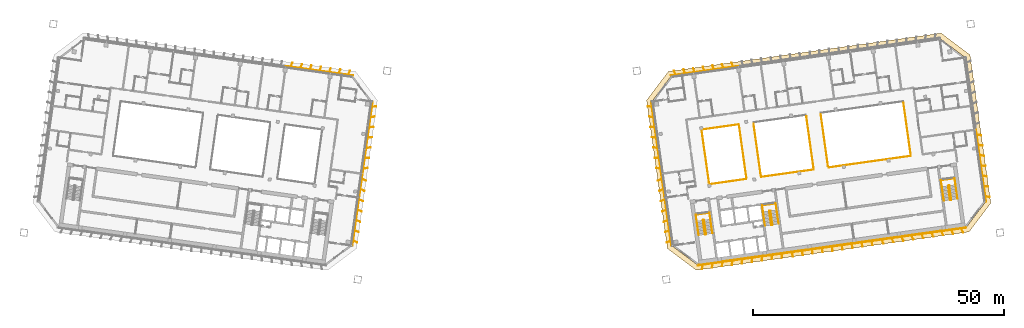
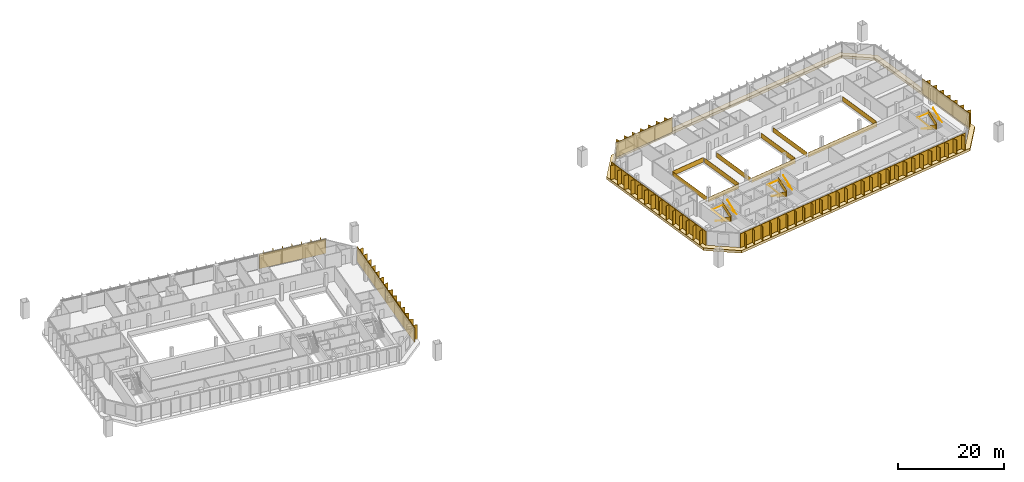
# One storey, part 25 of 26: 16 railings, 10 shading devices, 1 covering.
"""IFC4 building model written with IfcOpenShell, lengths in metres."""

import ifcopenshell
import ifcopenshell.guid

model = None  # the IFC model being written
_history = None  # IfcOwnerHistory: only IFC2X3 demands one
_inside = {}  # id of a spatial element -> (the spatial element, [elements in it])
_under = {}  # id of a project, library or spatial element -> (it, [spatial elements below it])
_declared = {}  # id of a project -> (the project, [libraries it declares])
_typed = {}  # id of a type object -> (the type object, [elements of that type])
_made_of = {}  # id of a material, layer set ... -> (it, [elements and type objects made of it])


def new_model(schema):
    """Start an empty IFC model of exactly this schema.

    Asked for "IFC4X3", IfcOpenShell would pick the latest addendum, in which some entities
    have other attributes; the version numbers below select the first issue.
    IFC2X3 requires an IfcOwnerHistory on every rooted entity: one is made here for all.
    """
    global model, _history
    if schema == "IFC4X3":
        model = ifcopenshell.file(schema_version=(4, 3, 0, 0))
    else:
        model = ifcopenshell.file(schema=schema)
    _inside.clear()
    _under.clear()
    _declared.clear()
    _typed.clear()
    _made_of.clear()
    _history = None
    if model.schema == "IFC2X3":
        org = make("IfcOrganization", Name="unknown")
        user = make(
            "IfcPersonAndOrganization",
            ThePerson=make("IfcPerson", FamilyName="unknown"),
            TheOrganization=org,
        )
        app = make(
            "IfcApplication",
            ApplicationDeveloper=org,
            Version="unknown",
            ApplicationFullName="unknown",
            ApplicationIdentifier="unknown",
        )
        _history = make(
            "IfcOwnerHistory",
            OwningUser=user,
            OwningApplication=app,
            ChangeAction="ADDED",
            CreationDate=0,
        )
    return model


def make(cls, **values):
    """One entity of the class cls with the attributes given. An attribute that is None is left unset."""
    return model.create_entity(
        cls, **{name: value for name, value in values.items() if value is not None}
    )


def rooted(cls, **values):
    """An entity with a GlobalId (a new one), such as an element, a storey or a relation."""
    return make(cls, GlobalId=ifcopenshell.guid.new(), OwnerHistory=_history, **values)


def si_unit(unit_type, name, prefix=None):
    """IfcSIUnit, for example si_unit("LENGTHUNIT", "METRE", prefix="MILLI")."""
    return make("IfcSIUnit", UnitType=unit_type, Prefix=prefix, Name=name)


def assignment(units):
    """IfcUnitAssignment: the units of a project."""
    return None if units is None else make("IfcUnitAssignment", Units=units)


def point(xyz):
    """IfcCartesianPoint."""
    return None if xyz is None else make("IfcCartesianPoint", Coordinates=xyz)


def direction(xyz):
    """IfcDirection."""
    return None if xyz is None else make("IfcDirection", DirectionRatios=xyz)


def frame(location, z_axis=None, x_axis=None):
    """IfcAxis2Placement3D, a coordinate frame: its origin and axes. An axis left out is left unset."""
    return make(
        "IfcAxis2Placement3D",
        Location=point(location),
        Axis=direction(z_axis),
        RefDirection=direction(x_axis),
    )


def frame_2d(location, x_axis=None):
    """IfcAxis2Placement2D, a coordinate frame in the plane: its origin and x axis."""
    return make(
        "IfcAxis2Placement2D", Location=point(location), RefDirection=direction(x_axis)
    )


def origin():
    """The frame at (0, 0, 0) with its axes left unset."""
    return frame((0.0, 0.0, 0.0))


def origin_2d():
    """The frame at (0, 0) in the plane with its x axis left unset."""
    return frame_2d((0.0, 0.0))


def place(relative_to, where):
    """IfcLocalPlacement: puts the frame where relative to a parent placement (None: the world)."""
    return make(
        "IfcLocalPlacement", PlacementRelTo=relative_to, RelativePlacement=where
    )


def context(
    kind, dimensions, precision=None, world=None, true_north=None, identifier=None
):
    """IfcGeometricRepresentationContext, for example the 3D "Model" context."""
    return make(
        "IfcGeometricRepresentationContext",
        ContextIdentifier=identifier,
        ContextType=kind,
        CoordinateSpaceDimension=dimensions,
        Precision=precision,
        WorldCoordinateSystem=world,
        TrueNorth=true_north,
    )


def subcontext(parent, identifier, kind, view, scale=None):
    """IfcGeometricRepresentationSubContext, for example "Body" below "Model"."""
    return make(
        "IfcGeometricRepresentationSubContext",
        ContextIdentifier=identifier,
        ContextType=kind,
        ParentContext=parent,
        TargetScale=scale,
        TargetView=view,
    )


def project(units=None, contexts=None):
    """IfcProject with its units and contexts."""
    return rooted(
        "IfcProject",
        Name="project",
        RepresentationContexts=contexts,
        UnitsInContext=assignment(units),
    )


def spatial(cls, under=None, at=None, **own):
    """A site, building, storey or space (cls), placed at a placement, below another one or the project."""
    s = rooted(cls, ObjectPlacement=at, **own)
    if under is not None:
        _under.setdefault(under.id(), (under, []))[1].append(s)
    return s


def polyline(points):
    """IfcPolyline through the points."""
    return make("IfcPolyline", Points=[point(p) for p in points])


def profile(cls, at=None, kind="AREA", **sizes):
    """A parametric profile (cls). Its sizes go by their IFC names, for example OverallWidth=200.0."""
    return make(cls, ProfileType=kind, Position=at, **sizes)


def rectangle(**sizes):
    """IfcRectangleProfileDef."""
    return profile("IfcRectangleProfileDef", **sizes)


def outline(outer, holes=None, kind="AREA"):
    """IfcArbitraryClosedProfileDef: a profile drawn as a closed curve; with holes, ...WithVoids."""
    if holes is None:
        return make("IfcArbitraryClosedProfileDef", ProfileType=kind, OuterCurve=outer)
    return make(
        "IfcArbitraryProfileDefWithVoids",
        ProfileType=kind,
        OuterCurve=outer,
        InnerCurves=holes,
    )


def extrude(swept, where, along, depth):
    """IfcExtrudedAreaSolid: the profile swept, set in the frame where, extruded along a direction by depth."""
    return make(
        "IfcExtrudedAreaSolid",
        SweptArea=swept,
        Position=where,
        ExtrudedDirection=direction(along),
        Depth=depth,
    )


def shape(context_of_items, identifier, shape_type, items):
    """IfcShapeRepresentation: the items that make up one representation, for example the "Body"."""
    return make(
        "IfcShapeRepresentation",
        ContextOfItems=context_of_items,
        RepresentationIdentifier=identifier,
        RepresentationType=shape_type,
        Items=items,
    )


def material(Name=None, Category=None):
    """IfcMaterial."""
    return make("IfcMaterial", Name=Name, Category=Category)


def layer(
    of_material, thickness, ventilated=None, Name=None, Category=None, Priority=None
):
    """IfcMaterialLayer: one layer of a wall or slab, of a material (None: an air gap)."""
    return make(
        "IfcMaterialLayer",
        Material=of_material,
        LayerThickness=thickness,
        IsVentilated=ventilated,
        Name=Name,
        Category=Category,
        Priority=Priority,
    )


def layer_set(layers, Name=None):
    """IfcMaterialLayerSet."""
    return make("IfcMaterialLayerSet", MaterialLayers=layers, LayerSetName=Name)


def made_of(thing, what):
    """Note that an element or type object is made of a material, layer set ...; save() writes the relation."""
    if what is not None:
        _made_of.setdefault(what.id(), (what, []))[1].append(thing)
    return thing


def type_object(cls, material=None, **own):
    """A type object (cls), such as IfcWallType, which elements share."""
    return made_of(rooted(cls, **own), material)


def element(
    cls,
    number,
    at=None,
    inside=None,
    cuts=None,
    type_object=None,
    material=None,
    context=None,
    identifier="Body",
    shape_type=None,
    held_by="IfcProductDefinitionShape",
    body=None,
    shapes=None,
    **own,
):
    """One element of the class cls, such as IfcWall. Its Tag is "e" and its number.

    at: its placement. inside: the storey or other place that contains it. cuts: it is an
    opening in that element (IfcRelVoidsElement). A single representation is given by context,
    identifier, shape_type and body (its items); several are given by shapes. held_by: the class
    of the entity that holds the representations. save() writes the other relations.
    """
    e = rooted(cls, Tag="e%d" % number, ObjectPlacement=at, **own)
    if body is not None:
        shapes = [shape(context, identifier, shape_type, body)]
    if shapes is not None:
        e.Representation = make(held_by, Representations=shapes)
    if inside is not None:
        _inside.setdefault(inside.id(), (inside, []))[1].append(e)
    if cuts is not None:
        rooted(
            "IfcRelVoidsElement", RelatingBuildingElement=cuts, RelatedOpeningElement=e
        )
    if type_object is not None:
        _typed.setdefault(type_object.id(), (type_object, []))[1].append(e)
    return made_of(e, material)


def aggregate(whole, parts):
    """IfcRelAggregates: a whole, such as a stair, and the parts it consists of."""
    return rooted("IfcRelAggregates", RelatingObject=whole, RelatedObjects=parts)


def save(model, path):
    """Write the relations noted so far, then the file.

    IfcRelAggregates (storeys below a building ...), IfcRelContainedInSpatialStructure (elements
    in a storey), IfcRelDefinesByType, IfcRelAssociatesMaterial and IfcRelDeclares: one each for
    every whole, place, type object, material and project.
    """
    for whole, parts in _under.values():
        aggregate(whole, parts)
    for where, things in _inside.values():
        rooted(
            "IfcRelContainedInSpatialStructure",
            RelatedElements=things,
            RelatingStructure=where,
        )
    for kind, things in _typed.values():
        rooted("IfcRelDefinesByType", RelatedObjects=things, RelatingType=kind)
    for what, things in _made_of.values():
        rooted("IfcRelAssociatesMaterial", RelatedObjects=things, RelatingMaterial=what)
    for by, libraries in _declared.values():
        rooted("IfcRelDeclares", RelatingContext=by, RelatedDefinitions=libraries)
    model.write(path)


model = new_model("IFC4")

# Units and contexts
model_context = context("Model", 3, precision=1e-05, world=origin(), true_north=direction((0.0, 1.0)))
body_context = subcontext(model_context, "Body", "Model", "MODEL_VIEW")
ifc_project = project(units=[si_unit("LENGTHUNIT", "METRE"), si_unit("AREAUNIT", "SQUARE_METRE"), si_unit("VOLUMEUNIT", "CUBIC_METRE"), si_unit("PLANEANGLEUNIT", "RADIAN"), si_unit("MASSUNIT", "GRAM", prefix="KILO")], contexts=[model_context])

# Site, building, storey
site_placement = place(None, origin())
site = spatial("IfcSite", under=ifc_project, at=site_placement, CompositionType="ELEMENT")
building_placement = place(site_placement, origin())
building = spatial("IfcBuilding", under=site, at=building_placement, Name="Mirante Cascada Hotel Towers", CompositionType="ELEMENT")
storey_placement = place(building_placement, frame((0.0, 0.0, 161.2)))
storey = spatial("IfcBuildingStorey", under=building, at=storey_placement, Name="L37", CompositionType="ELEMENT", Elevation=161.2)

# Railings
ifc_material_1 = material(Name="Toughened glass with stainless steel handrail", Category="steel")
railing_type_1 = type_object("IfcRailingType", Name="Atrium guard 1100 glass balustrade", PredefinedType="GUARDRAIL", material=ifc_material_1)
railing_1_placement = place(storey_placement, frame((39.3856, -4.1144, 0.0)))
element("IfcRailing", 1, at=railing_1_placement, inside=storey, type_object=railing_type_1, Name="GUARD 2-L37-1", PredefinedType="GUARDRAIL", context=body_context, shape_type="SweptSolid", body=[
    extrude(rectangle(XDim=0.048, YDim=0.048, at=origin_2d()), frame((0.0, 0.0, 1.076), z_axis=(0.9902668, 0.1391824, 0.0), x_axis=(-0.1391824, 0.9902668, 0.0)), (0.0, 0.0, 1.0), 7.4234),
    extrude(rectangle(XDim=0.02, YDim=1.052, at=origin_2d()), frame((0.0, 0.0, 0.526), z_axis=(0.9902668, 0.1391824, 0.0), x_axis=(-0.1391824, 0.9902668, 0.0)), (0.0, 0.0, 1.0), 7.4234),
])
railing_2_placement = place(storey_placement, frame((45.2058, 7.8117, 0.0)))
element("IfcRailing", 2, at=railing_2_placement, inside=storey, type_object=railing_type_1, Name="GUARD 2-L37-2", PredefinedType="GUARDRAIL", context=body_context, shape_type="SweptSolid", body=[
    extrude(rectangle(XDim=0.048, YDim=0.048, at=origin_2d()), frame((0.0, 0.0, 1.076), z_axis=(-0.9902686, -0.1391692, 0.0), x_axis=(0.1391692, -0.9902686, 0.0)), (0.0, 0.0, 1.0), 7.4233),
    extrude(rectangle(XDim=0.02, YDim=1.052, at=origin_2d()), frame((0.0, 0.0, 0.526), z_axis=(-0.9902686, -0.1391692, 0.0), x_axis=(0.1391692, -0.9902686, 0.0)), (0.0, 0.0, 1.0), 7.4233),
])
railing_3_placement = place(storey_placement, frame((49.7075, -2.6637, 0.0)))
element("IfcRailing", 3, at=railing_3_placement, inside=storey, type_object=railing_type_1, Name="GUARD 2-L37-3", PredefinedType="GUARDRAIL", context=body_context, shape_type="SweptSolid", body=[
    extrude(rectangle(XDim=0.048, YDim=0.048, at=origin_2d()), frame((0.0, 0.0, 1.076), z_axis=(0.9902677, 0.1391758, 0.0), x_axis=(-0.1391758, 0.9902677, 0.0)), (0.0, 0.0, 1.0), 10.5255),
    extrude(rectangle(XDim=0.02, YDim=1.052, at=origin_2d()), frame((0.0, 0.0, 0.526), z_axis=(0.9902677, 0.1391758, 0.0), x_axis=(-0.1391758, 0.9902677, 0.0)), (0.0, 0.0, 1.0), 10.5255),
])
railing_4_placement = place(storey_placement, frame((63.1014, -0.7813, 0.0)))
element("IfcRailing", 4, at=railing_4_placement, inside=storey, type_object=railing_type_1, Name="GUARD 2-L37-5", PredefinedType="GUARDRAIL", context=body_context, shape_type="SweptSolid", body=[
    extrude(rectangle(XDim=0.048, YDim=0.048, at=origin_2d()), frame((0.0, 0.0, 1.076), z_axis=(0.9902679, 0.1391744, 0.0), x_axis=(-0.1391744, 0.9902679, 0.0)), (0.0, 0.0, 1.0), 16.5512),
    extrude(rectangle(XDim=0.02, YDim=1.052, at=origin_2d()), frame((0.0, 0.0, 0.526), z_axis=(0.9902679, 0.1391744, 0.0), x_axis=(-0.1391744, 0.9902679, 0.0)), (0.0, 0.0, 1.0), 16.5512),
    extrude(rectangle(XDim=0.048, YDim=0.048, at=origin_2d()), frame((16.3901, 2.3035, 1.076), z_axis=(-0.9900663, -0.1406011, 0.0), x_axis=(0.1406011, -0.9900663, 0.0)), (0.0, 0.0, 1.0), 0.0171),
    extrude(rectangle(XDim=0.02, YDim=1.052, at=origin_2d()), frame((16.3901, 2.3035, 0.526), z_axis=(-0.9900663, -0.1406011, 0.0), x_axis=(0.1406011, -0.9900663, 0.0)), (0.0, 0.0, 1.0), 0.0171),
])
railing_5_placement = place(storey_placement, frame((37.8463, 6.479, 0.0)))
element("IfcRailing", 5, at=railing_5_placement, inside=storey, type_object=railing_type_1, Name="GUARD 2-L37-7", PredefinedType="GUARDRAIL", context=body_context, shape_type="SweptSolid", body=[
    extrude(rectangle(XDim=0.048, YDim=0.048, at=origin_2d()), frame((0.0, 0.0, 1.076), z_axis=(0.1391776, -0.9902674, 0.0), x_axis=(0.9902674, 0.1391776, 0.0)), (0.0, 0.0, 1.0), 10.409),
    extrude(rectangle(XDim=0.02, YDim=1.052, at=origin_2d()), frame((0.0, 0.0, 0.526), z_axis=(0.1391776, -0.9902674, 0.0), x_axis=(0.9902674, 0.1391776, 0.0)), (0.0, 0.0, 1.0), 10.409),
])
railing_6_placement = place(storey_placement, frame((46.7441, -2.7816, 0.0)))
element("IfcRailing", 6, at=railing_6_placement, inside=storey, type_object=railing_type_1, Name="GUARD 2-L37-8", PredefinedType="GUARDRAIL", context=body_context, shape_type="SweptSolid", body=[
    extrude(rectangle(XDim=0.048, YDim=0.048, at=origin_2d()), frame((0.0, 0.0, 1.076), z_axis=(-0.1391721, 0.9902682, 0.0), x_axis=(-0.9902682, -0.1391721, 0.0)), (0.0, 0.0, 1.0), 10.4087),
    extrude(rectangle(XDim=0.02, YDim=1.052, at=origin_2d()), frame((0.0, 0.0, 0.526), z_axis=(-0.1391721, 0.9902682, 0.0), x_axis=(-0.9902682, -0.1391721, 0.0)), (0.0, 0.0, 1.0), 10.4087),
])
railing_7_placement = place(storey_placement, frame((48.1692, 7.9297, 0.0)))
element("IfcRailing", 7, at=railing_7_placement, inside=storey, type_object=railing_type_1, Name="GUARD 2-L37-9", PredefinedType="GUARDRAIL", context=body_context, shape_type="SweptSolid", body=[
    extrude(rectangle(XDim=0.048, YDim=0.048, at=origin_2d()), frame((0.0, 0.0, 1.076), z_axis=(0.1391708, -0.9902684, 0.0), x_axis=(0.9902684, 0.1391708, 0.0)), (0.0, 0.0, 1.0), 10.4088),
    extrude(rectangle(XDim=0.02, YDim=1.052, at=origin_2d()), frame((0.0, 0.0, 0.526), z_axis=(0.1391708, -0.9902684, 0.0), x_axis=(0.9902684, 0.1391708, 0.0)), (0.0, 0.0, 1.0), 10.4088),
])
railing_8_placement = place(storey_placement, frame((60.138, -0.8992, 0.0)))
element("IfcRailing", 8, at=railing_8_placement, inside=storey, type_object=railing_type_1, Name="GUARD 2-L37-10", PredefinedType="GUARDRAIL", context=body_context, shape_type="SweptSolid", body=[
    extrude(rectangle(XDim=0.048, YDim=0.048, at=origin_2d()), frame((0.0, 0.0, 1.076), z_axis=(-0.1391721, 0.9902682, 0.0), x_axis=(-0.9902682, -0.1391721, 0.0)), (0.0, 0.0, 1.0), 10.4087),
    extrude(rectangle(XDim=0.02, YDim=1.052, at=origin_2d()), frame((0.0, 0.0, 0.526), z_axis=(-0.1391721, 0.9902682, 0.0), x_axis=(-0.9902682, -0.1391721, 0.0)), (0.0, 0.0, 1.0), 10.4087),
])
railing_9_placement = place(storey_placement, frame((61.5631, 9.812, 0.0)))
element("IfcRailing", 9, at=railing_9_placement, inside=storey, type_object=railing_type_1, Name="GUARD 2-L37-11", PredefinedType="GUARDRAIL", context=body_context, shape_type="SweptSolid", body=[
    extrude(rectangle(XDim=0.048, YDim=0.048, at=origin_2d()), frame((0.0, 0.0, 1.076), z_axis=(0.1391721, -0.9902682, 0.0), x_axis=(0.9902682, 0.1391721, 0.0)), (0.0, 0.0, 1.0), 10.4087),
    extrude(rectangle(XDim=0.02, YDim=1.052, at=origin_2d()), frame((0.0, 0.0, 0.526), z_axis=(0.1391721, -0.9902682, 0.0), x_axis=(0.9902682, 0.1391721, 0.0)), (0.0, 0.0, 1.0), 10.4087),
])
railing_10_placement = place(storey_placement, frame((79.4999, 1.8217, 0.0)))
element("IfcRailing", 10, at=railing_10_placement, inside=storey, type_object=railing_type_1, Name="GUARD 2-L37-12", PredefinedType="GUARDRAIL", context=body_context, shape_type="SweptSolid", body=[
    extrude(rectangle(XDim=0.048, YDim=0.048, at=origin_2d()), frame((0.0, 0.0, 1.076), z_axis=(-0.1391762, 0.9902676, 0.0), x_axis=(-0.9902676, -0.1391762, 0.0)), (0.0, 0.0, 1.0), 10.4091),
    extrude(rectangle(XDim=0.02, YDim=1.052, at=origin_2d()), frame((0.0, 0.0, 0.526), z_axis=(-0.1391762, 0.9902676, 0.0), x_axis=(-0.9902676, -0.1391762, 0.0)), (0.0, 0.0, 1.0), 10.4091),
])

# Covering
ifc_material_2 = material(Name="Precast concrete C40/50 white", Category="concrete")
ifc_layer = layer(ifc_material_2, 0.6)
ifc_layer_set = layer_set([ifc_layer], Name="Precast concrete SUNSHADE band 1000x600")
covering_type = type_object("IfcCoveringType", Name="Precast concrete SUNSHADE band 1000x600", PredefinedType="CLADDING", material=ifc_layer_set)
covering_placement = place(storey_placement, frame((0.0, 0.0, -0.45)))
element("IfcCovering", 11, at=covering_placement, inside=storey, type_object=covering_type, Name="Precast concrete SUNSHADE band T2 L37", PredefinedType="CLADDING", context=body_context, shape_type="SweptSolid", body=[
    extrude(outline(polyline([(26.8329, 12.6157), (31.1614, 18.3598), (85.5574, 26.0046), (91.3015, 21.6761), (95.4528, -7.862), (91.1243, -13.6061), (36.7283, -21.251), (30.9842, -16.9225), (26.8329, 12.6157)]), holes=[polyline([(94.4049, -7.591), (90.3689, 21.1268), (85.2864, 24.9567), (31.7107, 17.4271), (27.8808, 12.3447), (31.9168, -16.3731), (36.9993, -20.203), (90.575, -12.6735), (94.4049, -7.591)])]), origin(), (0.0, 0.0, 1.0), 0.6),
])

# Railings
ifc_material_3 = material(Name="Painted steel", Category="steel")
railing_type_2 = type_object("IfcRailingType", Name="Stair guard 1100 steel balustrade", PredefinedType="GUARDRAIL", material=ifc_material_3)
railing_11_placement = place(storey_placement, frame((38.2663, -11.2395, 0.0)))
element("IfcRailing", 12, at=railing_11_placement, inside=storey, type_object=railing_type_2, Name="L37 ST2-A stair guard 1", PredefinedType="GUARDRAIL", context=body_context, shape_type="SweptSolid", body=[
    extrude(rectangle(XDim=0.048, YDim=0.048, at=origin_2d()), frame((0.0, 0.0, 1.076), z_axis=(-0.9903326, -0.1387133, 0.0), x_axis=(0.1387133, -0.9903326, 0.0)), (0.0, 0.0, 1.0), 0.1499),
    extrude(rectangle(XDim=0.02, YDim=1.052, at=origin_2d()), frame((0.0, 0.0, 0.526), z_axis=(-0.9903326, -0.1387133, 0.0), x_axis=(0.1387133, -0.9903326, 0.0)), (0.0, 0.0, 1.0), 0.1499),
    extrude(rectangle(XDim=0.048, YDim=0.048, at=origin_2d()), frame((-0.1485, -0.0208, 1.076), z_axis=(-0.6020331, -0.7984711, 0.0), x_axis=(0.7984711, -0.6020331, 0.0)), (0.0, 0.9253398, 0.3791387), 0.1866),
    extrude(rectangle(XDim=0.02, YDim=1.052, at=origin_2d()), frame((-0.1485, -0.0208, 0.526), z_axis=(-0.6020331, -0.7984711, 0.0), x_axis=(0.7984711, -0.6020331, 0.0)), (0.0, 0.9253398, 0.3791387), 0.1866),
    extrude(rectangle(XDim=0.048, YDim=0.048, at=origin_2d()), frame((-0.1911, -0.0773, 1.2487), z_axis=(0.139176, -0.9902677, 0.0), x_axis=(0.9902677, 0.139176, 0.0)), (0.0, 0.5250212, 0.8510891), 3.29),
    extrude(rectangle(XDim=0.02, YDim=1.052, at=origin_2d()), frame((-0.1911, -0.0773, 0.6987), z_axis=(0.139176, -0.9902677, 0.0), x_axis=(0.9902677, 0.139176, 0.0)), (0.0, 0.5250212, 0.8510891), 3.29),
    extrude(rectangle(XDim=0.048, YDim=0.048, at=origin_2d()), frame((0.1986, -2.8501, 2.976), z_axis=(0.9944948, -0.1047858, 0.0), x_axis=(0.1047858, 0.9944948, 0.0)), (0.0, 0.0, 1.0), 0.2061),
    extrude(rectangle(XDim=0.02, YDim=1.052, at=origin_2d()), frame((0.1986, -2.8501, 2.426), z_axis=(0.9944948, -0.1047858, 0.0), x_axis=(0.1047858, 0.9944948, 0.0)), (0.0, 0.0, 1.0), 0.2061),
    extrude(rectangle(XDim=0.048, YDim=0.048, at=origin_2d()), frame((0.4036, -2.8717, 2.976), z_axis=(-0.9902408, -0.1393672, 0.0), x_axis=(0.1393672, -0.9902408, 0.0)), (0.0, 0.0, 1.0), 0.15),
    extrude(rectangle(XDim=0.02, YDim=1.052, at=origin_2d()), frame((0.4036, -2.8717, 2.426), z_axis=(-0.9902408, -0.1393672, 0.0), x_axis=(0.1393672, -0.9902408, 0.0)), (0.0, 0.0, 1.0), 0.15),
    extrude(rectangle(XDim=0.048, YDim=0.048, at=origin_2d()), frame((0.2551, -2.8926, 2.976), z_axis=(0.9270311, 0.3749843, 0.0), x_axis=(-0.3749843, 0.9270311, 0.0)), (0.0, 0.6421903, 0.7665452), 0.2689),
    extrude(rectangle(XDim=0.02, YDim=1.052, at=origin_2d()), frame((0.2551, -2.8926, 2.426), z_axis=(0.9270311, 0.3749843, 0.0), x_axis=(-0.3749843, 0.9270311, 0.0)), (0.0, 0.6421903, 0.7665452), 0.2689),
    extrude(rectangle(XDim=0.048, YDim=0.048, at=origin_2d()), frame((0.4462, -2.8153, 3.1487), z_axis=(-0.139176, 0.9902677, 0.0), x_axis=(-0.9902677, -0.139176, 0.0)), (0.0, 0.5250212, 0.8510891), 3.29),
    extrude(rectangle(XDim=0.02, YDim=1.052, at=origin_2d()), frame((0.4462, -2.8153, 2.5987), z_axis=(-0.139176, 0.9902677, 0.0), x_axis=(-0.9902677, -0.139176, 0.0)), (0.0, 0.5250212, 0.8510891), 3.29),
])
railing_12_placement = place(storey_placement, frame((51.4864, -9.3815, 0.0)))
element("IfcRailing", 13, at=railing_12_placement, inside=storey, type_object=railing_type_2, Name="L37 ST2-B stair guard 1", PredefinedType="GUARDRAIL", context=body_context, shape_type="SweptSolid", body=[
    extrude(rectangle(XDim=0.048, YDim=0.048, at=origin_2d()), frame((0.0, 0.0, 1.076), z_axis=(-0.9902408, -0.1393672, 0.0), x_axis=(0.1393672, -0.9902408, 0.0)), (0.0, 0.0, 1.0), 0.15),
    extrude(rectangle(XDim=0.02, YDim=1.052, at=origin_2d()), frame((0.0, 0.0, 0.526), z_axis=(-0.9902408, -0.1393672, 0.0), x_axis=(0.1393672, -0.9902408, 0.0)), (0.0, 0.0, 1.0), 0.15),
    extrude(rectangle(XDim=0.048, YDim=0.048, at=origin_2d()), frame((-0.1485, -0.0209, 1.076), z_axis=(-0.6020331, -0.7984711, 0.0), x_axis=(0.7984711, -0.6020331, 0.0)), (0.0, 0.9253398, 0.3791387), 0.1866),
    extrude(rectangle(XDim=0.02, YDim=1.052, at=origin_2d()), frame((-0.1485, -0.0209, 0.526), z_axis=(-0.6020331, -0.7984711, 0.0), x_axis=(0.7984711, -0.6020331, 0.0)), (0.0, 0.9253398, 0.3791387), 0.1866),
    extrude(rectangle(XDim=0.048, YDim=0.048, at=origin_2d()), frame((-0.1911, -0.0774, 1.2487), z_axis=(0.139181, -0.990267, 0.0), x_axis=(0.990267, 0.139181, 0.0)), (0.0, 0.5250347, 0.8510808), 3.2899),
    extrude(rectangle(XDim=0.02, YDim=1.052, at=origin_2d()), frame((-0.1911, -0.0774, 0.6987), z_axis=(0.139181, -0.990267, 0.0), x_axis=(0.990267, 0.139181, 0.0)), (0.0, 0.5250347, 0.8510808), 3.2899),
    extrude(rectangle(XDim=0.048, YDim=0.048, at=origin_2d()), frame((0.1986, -2.8501, 2.976), z_axis=(0.9944441, -0.1052656, 0.0), x_axis=(0.1052656, 0.9944441, 0.0)), (0.0, 0.0, 1.0), 0.2061),
    extrude(rectangle(XDim=0.02, YDim=1.052, at=origin_2d()), frame((0.1986, -2.8501, 2.426), z_axis=(0.9944441, -0.1052656, 0.0), x_axis=(0.1052656, 0.9944441, 0.0)), (0.0, 0.0, 1.0), 0.2061),
    extrude(rectangle(XDim=0.048, YDim=0.048, at=origin_2d()), frame((0.4036, -2.8718, 2.976), z_axis=(-0.9902408, -0.1393672, 0.0), x_axis=(0.1393672, -0.9902408, 0.0)), (0.0, 0.0, 1.0), 0.15),
    extrude(rectangle(XDim=0.02, YDim=1.052, at=origin_2d()), frame((0.4036, -2.8718, 2.426), z_axis=(-0.9902408, -0.1393672, 0.0), x_axis=(0.1393672, -0.9902408, 0.0)), (0.0, 0.0, 1.0), 0.15),
    extrude(rectangle(XDim=0.048, YDim=0.048, at=origin_2d()), frame((0.2551, -2.8927, 2.976), z_axis=(0.9268624, 0.3754011, 0.0), x_axis=(-0.3754011, 0.9268624, 0.0)), (0.0, 0.6421217, 0.7666028), 0.269),
    extrude(rectangle(XDim=0.02, YDim=1.052, at=origin_2d()), frame((0.2551, -2.8927, 2.426), z_axis=(0.9268624, 0.3754011, 0.0), x_axis=(-0.3754011, 0.9268624, 0.0)), (0.0, 0.6421217, 0.7666028), 0.269),
    extrude(rectangle(XDim=0.048, YDim=0.048, at=origin_2d()), frame((0.4462, -2.8153, 3.1487), z_axis=(-0.139181, 0.990267, 0.0), x_axis=(-0.990267, -0.139181, 0.0)), (0.0, 0.5250347, 0.8510808), 3.2899),
    extrude(rectangle(XDim=0.02, YDim=1.052, at=origin_2d()), frame((0.4462, -2.8153, 2.5987), z_axis=(-0.139181, 0.990267, 0.0), x_axis=(-0.990267, -0.139181, 0.0)), (0.0, 0.5250347, 0.8510808), 3.2899),
])
railing_13_placement = place(storey_placement, frame((87.1361, -4.3713, 0.0)))
element("IfcRailing", 14, at=railing_13_placement, inside=storey, type_object=railing_type_2, Name="L37 ST2-C stair guard 1", PredefinedType="GUARDRAIL", context=body_context, shape_type="SweptSolid", body=[
    extrude(rectangle(XDim=0.048, YDim=0.048, at=origin_2d()), frame((0.0, 0.0, 1.076), z_axis=(-0.9902537, -0.1392753, 0.0), x_axis=(0.1392753, -0.9902537, 0.0)), (0.0, 0.0, 1.0), 0.1501),
    extrude(rectangle(XDim=0.02, YDim=1.052, at=origin_2d()), frame((0.0, 0.0, 0.526), z_axis=(-0.9902537, -0.1392753, 0.0), x_axis=(0.1392753, -0.9902537, 0.0)), (0.0, 0.0, 1.0), 0.1501),
    extrude(rectangle(XDim=0.048, YDim=0.048, at=origin_2d()), frame((-0.1486, -0.0209, 1.076), z_axis=(-0.601811, -0.7986386, 0.0), x_axis=(0.7986386, -0.601811, 0.0)), (0.0, 0.925603, 0.3784959), 0.1866),
    extrude(rectangle(XDim=0.02, YDim=1.052, at=origin_2d()), frame((-0.1486, -0.0209, 0.526), z_axis=(-0.601811, -0.7986386, 0.0), x_axis=(0.7986386, -0.601811, 0.0)), (0.0, 0.925603, 0.3784959), 0.1866),
    extrude(rectangle(XDim=0.048, YDim=0.048, at=origin_2d()), frame((-0.1911, -0.0773, 1.2487), z_axis=(0.139176, -0.9902677, 0.0), x_axis=(0.9902677, 0.139176, 0.0)), (0.0, 0.5250212, 0.8510891), 3.29),
    extrude(rectangle(XDim=0.02, YDim=1.052, at=origin_2d()), frame((-0.1911, -0.0773, 0.6987), z_axis=(0.139176, -0.9902677, 0.0), x_axis=(0.9902677, 0.139176, 0.0)), (0.0, 0.5250212, 0.8510891), 3.29),
    extrude(rectangle(XDim=0.048, YDim=0.048, at=origin_2d()), frame((0.1986, -2.8501, 2.976), z_axis=(0.9944441, -0.1052656, 0.0), x_axis=(0.1052656, 0.9944441, 0.0)), (0.0, 0.0, 1.0), 0.2061),
    extrude(rectangle(XDim=0.02, YDim=1.052, at=origin_2d()), frame((0.1986, -2.8501, 2.426), z_axis=(0.9944441, -0.1052656, 0.0), x_axis=(0.1052656, 0.9944441, 0.0)), (0.0, 0.0, 1.0), 0.2061),
    extrude(rectangle(XDim=0.048, YDim=0.048, at=origin_2d()), frame((0.4036, -2.8718, 2.976), z_axis=(-0.9903454, -0.1386217, 0.0), x_axis=(0.1386217, -0.9903454, 0.0)), (0.0, 0.0, 1.0), 0.15),
    extrude(rectangle(XDim=0.02, YDim=1.052, at=origin_2d()), frame((0.4036, -2.8718, 2.426), z_axis=(-0.9903454, -0.1386217, 0.0), x_axis=(0.1386217, -0.9903454, 0.0)), (0.0, 0.0, 1.0), 0.15),
    extrude(rectangle(XDim=0.048, YDim=0.048, at=origin_2d()), frame((0.255, -2.8926, 2.976), z_axis=(0.9270311, 0.3749843, 0.0), x_axis=(-0.3749843, 0.9270311, 0.0)), (0.0, 0.6421903, 0.7665452), 0.2689),
    extrude(rectangle(XDim=0.02, YDim=1.052, at=origin_2d()), frame((0.255, -2.8926, 2.426), z_axis=(0.9270311, 0.3749843, 0.0), x_axis=(-0.3749843, 0.9270311, 0.0)), (0.0, 0.6421903, 0.7665452), 0.2689),
    extrude(rectangle(XDim=0.048, YDim=0.048, at=origin_2d()), frame((0.4461, -2.8153, 3.1487), z_axis=(-0.139176, 0.9902677, 0.0), x_axis=(-0.9902677, -0.139176, 0.0)), (0.0, 0.5250212, 0.8510891), 3.29),
    extrude(rectangle(XDim=0.02, YDim=1.052, at=origin_2d()), frame((0.4461, -2.8153, 2.5987), z_axis=(-0.139176, 0.9902677, 0.0), x_axis=(-0.9902677, -0.139176, 0.0)), (0.0, 0.5250212, 0.8510891), 3.29),
])
ifc_material_4 = material(Name="Painted steel", Category="steel")
railing_type_3 = type_object("IfcRailingType", Name="Stair handrail 900 steel tube", PredefinedType="HANDRAIL", material=ifc_material_4)
railing_14_placement = place(storey_placement, frame((36.8374, -11.4908, 0.1727)))
element("IfcRailing", 15, at=railing_14_placement, inside=storey, type_object=railing_type_3, Name="L37 ST2-A stair handrail 1", PredefinedType="HANDRAIL", context=body_context, shape_type="SweptSolid", body=[
    extrude(rectangle(XDim=0.048, YDim=0.048, at=origin_2d()), frame((0.0, 0.0, 0.876), z_axis=(0.139181, -0.990267, 0.0), x_axis=(0.990267, 0.139181, 0.0)), (0.0, 0.5250347, 0.8510808), 3.2899),
    extrude(rectangle(XDim=0.048, YDim=0.048, at=origin_2d()), frame((0.3897, -2.7727, 2.6033), z_axis=(-0.1391707, 0.9902684, 0.0), x_axis=(-0.9902684, -0.1391707, 0.0)), (0.0, 0.0420846, 0.999114), 4.1036),
    extrude(rectangle(XDim=0.048, YDim=0.048, at=origin_2d()), frame((-0.1809, 1.2874, 2.776), z_axis=(0.9902691, 0.1391657, 0.0), x_axis=(-0.1391657, 0.9902691, 0.0)), (0.0, 0.0, 1.0), 2.75),
    extrude(rectangle(XDim=0.048, YDim=0.048, at=origin_2d()), frame((2.5423, 1.6701, 2.776), z_axis=(0.1391707, -0.9902684, 0.0), x_axis=(0.9902684, 0.1391707, 0.0)), (0.0, 0.0, 1.0), 4.1),
    extrude(rectangle(XDim=0.048, YDim=0.048, at=origin_2d()), frame((3.1129, -2.39, 2.776), z_axis=(-0.139181, 0.990267, 0.0), x_axis=(-0.990267, -0.139181, 0.0)), (0.0, 0.5250347, 0.8510808), 3.2899),
])
railing_15_placement = place(storey_placement, frame((50.0575, -9.6328, 0.1727)))
element("IfcRailing", 16, at=railing_15_placement, inside=storey, type_object=railing_type_3, Name="L37 ST2-B stair handrail 1", PredefinedType="HANDRAIL", context=body_context, shape_type="SweptSolid", body=[
    extrude(rectangle(XDim=0.048, YDim=0.048, at=origin_2d()), frame((0.0, 0.0, 0.876), z_axis=(0.139176, -0.9902677, 0.0), x_axis=(0.9902677, 0.139176, 0.0)), (0.0, 0.5250212, 0.8510891), 3.29),
    extrude(rectangle(XDim=0.048, YDim=0.048, at=origin_2d()), frame((0.3897, -2.7728, 2.6033), z_axis=(-0.1391707, 0.9902684, 0.0), x_axis=(-0.9902684, -0.1391707, 0.0)), (0.0, 0.0420846, 0.999114), 4.1036),
    extrude(rectangle(XDim=0.048, YDim=0.048, at=origin_2d()), frame((-0.1809, 1.2873, 2.776), z_axis=(0.9902641, 0.1392013, 0.0), x_axis=(-0.1392013, 0.9902641, 0.0)), (0.0, 0.0, 1.0), 2.75),
    extrude(rectangle(XDim=0.048, YDim=0.048, at=origin_2d()), frame((2.5423, 1.6701, 2.776), z_axis=(0.1391707, -0.9902684, 0.0), x_axis=(0.9902684, 0.1391707, 0.0)), (0.0, 0.0, 1.0), 4.1),
    extrude(rectangle(XDim=0.048, YDim=0.048, at=origin_2d()), frame((3.1129, -2.39, 2.776), z_axis=(-0.139181, 0.990267, 0.0), x_axis=(-0.990267, -0.139181, 0.0)), (0.0, 0.5250347, 0.8510808), 3.2899),
])
railing_16_placement = place(storey_placement, frame((85.7071, -4.6226, 0.1727)))
element("IfcRailing", 17, at=railing_16_placement, inside=storey, type_object=railing_type_3, Name="L37 ST2-C stair handrail 1", PredefinedType="HANDRAIL", context=body_context, shape_type="SweptSolid", body=[
    extrude(rectangle(XDim=0.048, YDim=0.048, at=origin_2d()), frame((0.0, 0.0, 0.876), z_axis=(0.139181, -0.990267, 0.0), x_axis=(0.990267, 0.139181, 0.0)), (0.0, 0.5250347, 0.8510808), 3.2899),
    extrude(rectangle(XDim=0.048, YDim=0.048, at=origin_2d()), frame((0.3897, -2.7727, 2.6033), z_axis=(-0.1391707, 0.9902684, 0.0), x_axis=(-0.9902684, -0.1391707, 0.0)), (0.0, 0.0420846, 0.999114), 4.1036),
    extrude(rectangle(XDim=0.048, YDim=0.048, at=origin_2d()), frame((-0.1809, 1.2874, 2.776), z_axis=(0.9902691, 0.1391657, 0.0), x_axis=(-0.1391657, 0.9902691, 0.0)), (0.0, 0.0, 1.0), 2.75),
    extrude(rectangle(XDim=0.048, YDim=0.048, at=origin_2d()), frame((2.5423, 1.6701, 2.776), z_axis=(0.1391947, -0.990265, 0.0), x_axis=(0.990265, 0.1391947, 0.0)), (0.0, 0.0, 1.0), 4.1),
    extrude(rectangle(XDim=0.048, YDim=0.048, at=origin_2d()), frame((3.113, -2.39, 2.776), z_axis=(-0.139181, 0.990267, 0.0), x_axis=(-0.990267, -0.139181, 0.0)), (0.0, 0.5250347, 0.8510808), 3.2899),
])

# Shading devices
ifc_material_5 = material(Name="White precast concrete C50/60 fin", Category="concrete")
shading_device_type = type_object("IfcShadingDeviceType", Name="Vertical fin set 4500x900", PredefinedType="USERDEFINED", material=ifc_material_5)
shading_device_1_placement = place(storey_placement, origin())
element("IfcShadingDevice", 18, at=shading_device_1_placement, inside=storey, type_object=shading_device_type, Name="FIN T1 L37 front 4", ObjectType="FIN", PredefinedType="USERDEFINED", context=body_context, shape_type="SweptSolid", body=[
    extrude(outline(polyline([(-32.5923, 17.7025), (-31.6898, 17.5757), (-31.7107, 17.4271), (-45.1046, 19.3095), (-45.0838, 19.4581), (-44.1548, 19.3275), (-43.8192, 20.1182), (-43.7455, 20.0869), (-44.0728, 19.316), (-42.2414, 19.0586), (-41.9057, 19.8493), (-41.8321, 19.818), (-42.1594, 19.0471), (-40.3279, 18.7897), (-39.9923, 19.5804), (-39.9187, 19.5491), (-40.2459, 18.7782), (-38.4145, 18.5208), (-38.0789, 19.3115), (-38.0053, 19.2802), (-38.3325, 18.5093), (-36.5011, 18.2519), (-36.1655, 19.0425), (-36.0919, 19.0113), (-36.4191, 18.2403), (-34.5877, 17.983), (-34.2521, 18.7736), (-34.1784, 18.7424), (-34.5057, 17.9714), (-32.6743, 17.714), (-32.3387, 18.5047), (-32.265, 18.4735), (-32.5923, 17.7025)])), origin(), (0.0, 0.0, 1.0), 3.35),
])
shading_device_2_placement = place(storey_placement, origin())
element("IfcShadingDevice", 19, at=shading_device_2_placement, inside=storey, type_object=shading_device_type, Name="FIN T1 L37 inner 1", ObjectType="FIN", PredefinedType="USERDEFINED", context=body_context, shape_type="SweptSolid", body=[
    extrude(outline(polyline([(-29.61, -1.0372), (-29.7502, -2.0351), (-29.8988, -2.0142), (-27.8808, 12.3447), (-27.7322, 12.3238), (-27.8688, 11.3524), (-27.0375, 11.4545), (-27.0277, 11.3751), (-27.8803, 11.2704), (-28.157, 9.3012), (-27.3258, 9.4032), (-27.316, 9.3238), (-28.1686, 9.2191), (-28.4453, 7.2499), (-27.6141, 7.352), (-27.6043, 7.2726), (-28.4569, 7.1679), (-28.7336, 5.1986), (-27.9023, 5.3007), (-27.8926, 5.2213), (-28.7451, 5.1166), (-29.0219, 3.1473), (-28.1906, 3.2494), (-28.1809, 3.17), (-29.0334, 3.0653), (-29.3102, 1.0961), (-28.4789, 1.1981), (-28.4692, 1.1187), (-29.3217, 1.0141), (-29.5985, -0.9552), (-28.7672, -0.8531), (-28.7575, -0.9325), (-29.61, -1.0372)])), origin(), (0.0, 0.0, 1.0), 3.35),
])
shading_device_3_placement = place(storey_placement, origin())
element("IfcShadingDevice", 20, at=shading_device_3_placement, inside=storey, type_object=shading_device_type, Name="FIN T1 L37 inner 2", ObjectType="FIN", PredefinedType="USERDEFINED", context=body_context, shape_type="SweptSolid", body=[
    extrude(outline(polyline([(-31.6317, -15.4226), (-31.7683, -16.394), (-31.9168, -16.3731), (-29.8988, -2.0142), (-29.7502, -2.0351), (-29.8905, -3.033), (-29.0998, -3.3686), (-29.1311, -3.4423), (-29.902, -3.115), (-30.1788, -5.0843), (-29.3881, -5.4199), (-29.4194, -5.4935), (-30.1903, -5.1663), (-30.4671, -7.1355), (-29.6764, -7.4712), (-29.7077, -7.5448), (-30.4786, -7.2175), (-30.7554, -9.1868), (-29.9647, -9.5224), (-29.9959, -9.5961), (-30.7669, -9.2688), (-31.0436, -11.2381), (-30.253, -11.5737), (-30.2842, -11.6473), (-31.0552, -11.3201), (-31.3319, -13.2893), (-30.5413, -13.625), (-30.5725, -13.6986), (-31.3435, -13.3714), (-31.6202, -15.3406), (-30.8295, -15.6762), (-30.8608, -15.7499), (-31.6317, -15.4226)])), origin(), (0.0, 0.0, 1.0), 3.35),
])
shading_device_4_placement = place(storey_placement, origin())
element("IfcShadingDevice", 21, at=shading_device_4_placement, inside=storey, type_object=shading_device_type, Name="FIN T2 L37 front 4", ObjectType="FIN", PredefinedType="USERDEFINED", context=body_context, shape_type="SweptSolid", body=[
    extrude(outline(polyline([(32.3387, 18.5047), (32.6743, 17.714), (34.5057, 17.9714), (34.1784, 18.7424), (34.2521, 18.7736), (34.5877, 17.983), (36.4191, 18.2403), (36.0919, 19.0113), (36.1655, 19.0425), (36.5011, 18.2519), (38.3325, 18.5093), (38.0053, 19.2802), (38.0789, 19.3115), (38.4145, 18.5208), (40.2459, 18.7782), (39.9187, 19.5491), (39.9923, 19.5804), (40.3279, 18.7897), (42.1594, 19.0471), (41.8321, 19.818), (41.9057, 19.8493), (42.2414, 19.0586), (44.0728, 19.316), (43.7455, 20.0869), (43.8192, 20.1182), (44.1548, 19.3275), (45.0838, 19.4581), (45.1046, 19.3095), (31.7107, 17.4271), (31.6898, 17.5757), (32.5923, 17.7025), (32.265, 18.4735), (32.3387, 18.5047)])), origin(), (0.0, 0.0, 1.0), 3.35),
])
shading_device_5_placement = place(storey_placement, origin())
element("IfcShadingDevice", 22, at=shading_device_5_placement, inside=storey, type_object=shading_device_type, Name="FIN T2 L37 inner 1", ObjectType="FIN", PredefinedType="USERDEFINED", context=body_context, shape_type="SweptSolid", body=[
    extrude(outline(polyline([(28.7672, -0.8531), (29.5985, -0.9552), (29.3217, 1.0141), (28.4692, 1.1187), (28.4789, 1.1981), (29.3102, 1.0961), (29.0334, 3.0653), (28.1809, 3.17), (28.1906, 3.2494), (29.0219, 3.1473), (28.7451, 5.1166), (27.8926, 5.2213), (27.9023, 5.3007), (28.7336, 5.1986), (28.4569, 7.1679), (27.6043, 7.2726), (27.6141, 7.352), (28.4453, 7.2499), (28.1686, 9.2191), (27.316, 9.3238), (27.3258, 9.4032), (28.157, 9.3012), (27.8803, 11.2704), (27.0277, 11.3751), (27.0375, 11.4545), (27.8688, 11.3524), (27.7322, 12.3238), (27.8808, 12.3447), (29.8988, -2.0142), (29.7502, -2.0351), (29.61, -1.0372), (28.7575, -0.9325), (28.7672, -0.8531)])), origin(), (0.0, 0.0, 1.0), 3.35),
])
shading_device_6_placement = place(storey_placement, origin())
element("IfcShadingDevice", 23, at=shading_device_6_placement, inside=storey, type_object=shading_device_type, Name="FIN T2 L37 inner 2", ObjectType="FIN", PredefinedType="USERDEFINED", context=body_context, shape_type="SweptSolid", body=[
    extrude(outline(polyline([(30.8295, -15.6762), (31.6202, -15.3406), (31.3435, -13.3714), (30.5725, -13.6986), (30.5413, -13.625), (31.3319, -13.2893), (31.0552, -11.3201), (30.2842, -11.6473), (30.253, -11.5737), (31.0436, -11.2381), (30.7669, -9.2688), (29.9959, -9.5961), (29.9647, -9.5224), (30.7554, -9.1868), (30.4786, -7.2175), (29.7077, -7.5448), (29.6764, -7.4712), (30.4671, -7.1355), (30.1903, -5.1663), (29.4194, -5.4935), (29.3881, -5.4199), (30.1788, -5.0843), (29.902, -3.115), (29.1311, -3.4423), (29.0998, -3.3686), (29.8905, -3.033), (29.7502, -2.0351), (29.8988, -2.0142), (31.9168, -16.3731), (31.7683, -16.394), (31.6317, -15.4226), (30.8608, -15.7499), (30.8295, -15.6762)])), origin(), (0.0, 0.0, 1.0), 3.35),
])
shading_device_7_placement = place(storey_placement, origin())
element("IfcShadingDevice", 24, at=shading_device_7_placement, inside=storey, type_object=shading_device_type, Name="FIN T2 L37 outer 1", ObjectType="FIN", PredefinedType="USERDEFINED", context=body_context, shape_type="SweptSolid", body=[
    extrude(outline(polyline([(95.2482, -6.7008), (94.4169, -6.5987), (94.5534, -7.5701), (94.4049, -7.591), (92.3869, 6.7679), (92.5354, 6.7888), (92.6757, 5.7909), (93.5282, 5.6862), (93.5185, 5.6068), (92.6872, 5.7089), (92.964, 3.7396), (93.8165, 3.6349), (93.8068, 3.5555), (92.9755, 3.6576), (93.2522, 1.6883), (94.1048, 1.5837), (94.095, 1.5043), (93.2638, 1.6063), (93.5405, -0.3629), (94.3931, -0.4676), (94.3833, -0.547), (93.5521, -0.4449), (93.8288, -2.4142), (94.6814, -2.5189), (94.6716, -2.5983), (93.8403, -2.4962), (94.1171, -4.4655), (94.9697, -4.5701), (94.9599, -4.6495), (94.1286, -4.5475), (94.4054, -6.5167), (95.2579, -6.6214), (95.2482, -6.7008)])), origin(), (0.0, 0.0, 1.0), 3.35),
])
shading_device_8_placement = place(storey_placement, origin())
element("IfcShadingDevice", 25, at=shading_device_8_placement, inside=storey, type_object=shading_device_type, Name="FIN T2 L37 rear 1", ObjectType="FIN", PredefinedType="USERDEFINED", context=body_context, shape_type="SweptSolid", body=[
    extrude(outline(polyline([(37.856, -21.051), (37.958, -20.2198), (37.0202, -20.3516), (36.9993, -20.203), (54.8578, -17.6932), (54.8787, -17.8417), (53.9143, -17.9773), (53.8096, -18.8298), (53.7302, -18.8201), (53.8323, -17.9888), (51.93, -18.2561), (51.8254, -19.1087), (51.746, -19.0989), (51.848, -18.2677), (49.9458, -18.535), (49.8411, -19.3876), (49.7617, -19.3778), (49.8637, -18.5465), (47.9615, -18.8139), (47.8568, -19.6664), (47.7774, -19.6567), (47.8795, -18.8254), (45.9772, -19.0928), (45.8725, -19.9453), (45.7931, -19.9356), (45.8952, -19.1043), (43.9929, -19.3716), (43.8882, -20.2242), (43.8088, -20.2144), (43.9109, -19.3832), (42.0086, -19.6505), (41.9039, -20.503), (41.8245, -20.4933), (41.9266, -19.662), (40.0243, -19.9294), (39.9196, -20.7819), (39.8402, -20.7722), (39.9423, -19.9409), (38.04, -20.2082), (37.9354, -21.0608), (37.856, -21.051)])), origin(), (0.0, 0.0, 1.0), 3.35),
])
shading_device_9_placement = place(storey_placement, origin())
element("IfcShadingDevice", 26, at=shading_device_9_placement, inside=storey, type_object=shading_device_type, Name="FIN T2 L37 rear 2", ObjectType="FIN", PredefinedType="USERDEFINED", context=body_context, shape_type="SweptSolid", body=[
    extrude(outline(polyline([(55.9496, -18.5496), (55.8313, -17.7079), (54.8787, -17.8417), (54.8578, -17.6932), (72.7164, -15.1833), (72.7373, -15.3319), (71.7848, -15.4657), (71.903, -16.3075), (71.8238, -16.3186), (71.7055, -15.4769), (69.8005, -15.7446), (69.9188, -16.5863), (69.8395, -16.5975), (69.7212, -15.7557), (67.8162, -16.0235), (67.9345, -16.8652), (67.8553, -16.8763), (67.737, -16.0346), (65.8319, -16.3024), (65.9502, -17.1441), (65.871, -17.1552), (65.7527, -16.3135), (63.8476, -16.5812), (63.9659, -17.423), (63.8867, -17.4341), (63.7684, -16.5924), (61.8633, -16.8601), (61.9816, -17.7018), (61.9024, -17.713), (61.7841, -16.8712), (59.879, -17.139), (59.9973, -17.9807), (59.9181, -17.9918), (59.7998, -17.1501), (57.8948, -17.4178), (58.0131, -18.2596), (57.9338, -18.2707), (57.8155, -17.429), (55.9105, -17.6967), (56.0288, -18.5384), (55.9496, -18.5496)])), origin(), (0.0, 0.0, 1.0), 3.35),
])
shading_device_10_placement = place(storey_placement, origin())
element("IfcShadingDevice", 27, at=shading_device_10_placement, inside=storey, type_object=shading_device_type, Name="FIN T2 L37 rear 3", ObjectType="FIN", PredefinedType="USERDEFINED", context=body_context, shape_type="SweptSolid", body=[
    extrude(outline(polyline([(74.0373, -15.987), (73.7017, -15.1963), (72.7373, -15.3319), (72.7164, -15.1833), (90.575, -12.6735), (90.5958, -12.822), (89.658, -12.9538), (89.9852, -13.7248), (89.9116, -13.756), (89.576, -12.9653), (87.6737, -13.2327), (88.0009, -14.0036), (87.9273, -14.0349), (87.5917, -13.2442), (85.6894, -13.5116), (86.0167, -14.2825), (85.943, -14.3138), (85.6074, -13.5231), (83.7051, -13.7904), (84.0324, -14.5614), (83.9587, -14.5926), (83.6231, -13.802), (81.7208, -14.0693), (82.0481, -14.8402), (81.9744, -14.8715), (81.6388, -14.0808), (79.7366, -14.3482), (80.0638, -15.1191), (79.9902, -15.1504), (79.6545, -14.3597), (77.7523, -14.6271), (78.0795, -15.398), (78.0059, -15.4293), (77.6703, -14.6386), (75.768, -14.9059), (76.0952, -15.6769), (76.0216, -15.7081), (75.686, -14.9175), (73.7837, -15.1848), (74.1109, -15.9557), (74.0373, -15.987)])), origin(), (0.0, 0.0, 1.0), 3.35),
])

save(model, "model.ifc")
